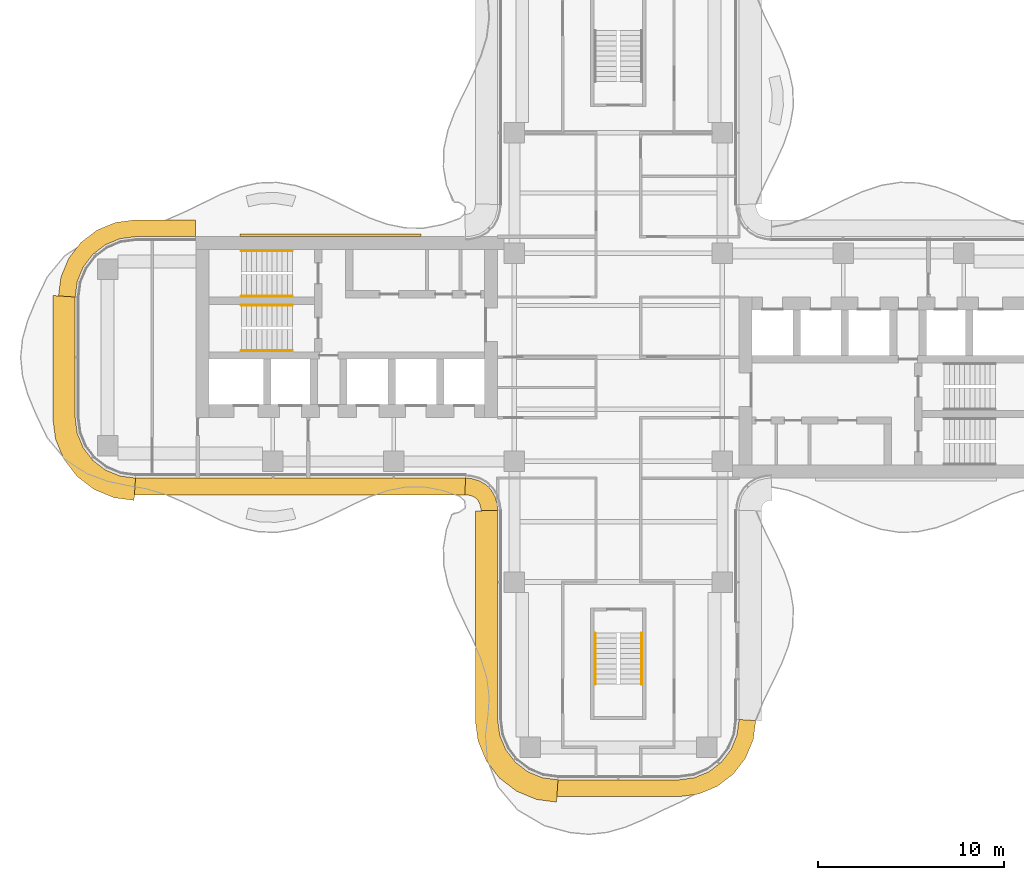
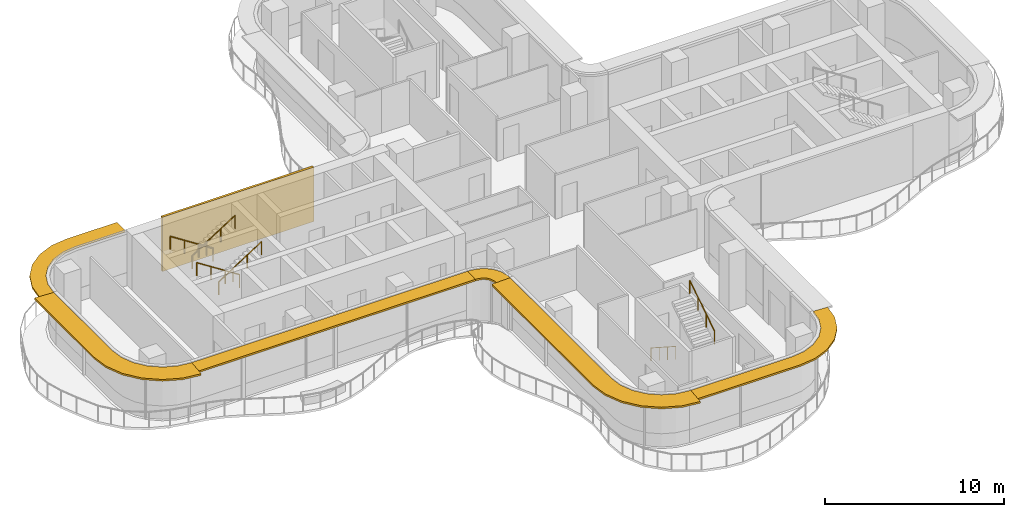
# One storey, part 15 of 16: 6 railings, 6 shading devices, 1 covering.
"""IFC4 building model written with IfcOpenShell, lengths in metres."""

from ifc_helpers import new_model, si_unit, direction, frame, origin, origin_2d, place, context, subcontext, project, spatial, polyline, circle, outline, extrude, source, transform, mapped, material, layer, layer_set, type_object, element, save


model = new_model("IFC4")

# Units and contexts
model_context = context("Model", 3, precision=1e-05, world=origin(), true_north=direction((0.0, 1.0)))
body_context = subcontext(model_context, "Body", "Model", "MODEL_VIEW")
ifc_project = project(units=[si_unit("LENGTHUNIT", "METRE"), si_unit("AREAUNIT", "SQUARE_METRE"), si_unit("VOLUMEUNIT", "CUBIC_METRE"), si_unit("PLANEANGLEUNIT", "RADIAN"), si_unit("MASSUNIT", "GRAM", prefix="KILO")], contexts=[model_context])

# Site, building, storey
site_placement = place(None, origin())
site = spatial("IfcSite", under=ifc_project, at=site_placement, CompositionType="ELEMENT")
building_placement = place(site_placement, origin())
building = spatial("IfcBuilding", under=site, at=building_placement, Name="Trellis Farm Tower", CompositionType="ELEMENT")
storey_placement = place(building_placement, frame((0.0, 0.0, 251.89990234375)))
storey = spatial("IfcBuildingStorey", under=building, at=storey_placement, Name="L56", CompositionType="ELEMENT", Elevation=251.89990234375)

# Railings
ifc_material_1 = material(Name="Stainless steel", Category="steel")
railing_type = type_object("IfcRailingType", Name="STAIR HANDRAIL 900", PredefinedType="HANDRAIL", material=ifc_material_1)
shared_shape_1 = source(origin(), body_context, "Body", "SweptSolid", [
    extrude(circle(Radius=0.02392578125, at=origin_2d()), frame((0.0, 0.0, 0.8759765625), z_axis=(0.0, 0.840503830235, 0.541805602924), x_axis=(-1.0, 0.0, 0.0)), (0.0, 0.0, 1.0), 3.271728515625),
    extrude(circle(Radius=0.02099609375, at=origin_2d()), origin(), (0.0, 0.0, 1.0), 0.851806640625),
    extrude(circle(Radius=0.02099609375, at=origin_2d()), frame((0.0, 0.916748046875, 0.5908203125)), (0.0, 0.0, 1.0), 0.851806640625),
    extrude(circle(Radius=0.02099609375, at=origin_2d()), frame((0.0, 1.833251953125, 1.181884765625)), (0.0, 0.0, 1.0), 0.851806640625),
    extrude(circle(Radius=0.02099609375, at=origin_2d()), frame((0.0, 2.75, 1.772705078125)), (0.0, 0.0, 1.0), 0.851806640625),
])
railing_1_placement = place(storey_placement, frame((1.25, -17.60009765625, 2.12744140625)))
element("IfcRailing", 1, at=railing_1_placement, inside=storey, type_object=railing_type, Name="Stair handrail", PredefinedType="HANDRAIL", context=body_context, shape_type="MappedRepresentation", body=[
    mapped(shared_shape_1, transform((0.0, 0.0, 0.0))),
])
shared_shape_2 = source(origin(), body_context, "Body", "SweptSolid", [
    extrude(circle(Radius=0.02392578125, at=origin_2d()), frame((0.0, 0.0, 0.8759765625), z_axis=(0.0, -0.840503830235, 0.541805602924), x_axis=(1.0, 0.0, 0.0)), (0.0, 0.0, 1.0), 3.271728515625),
    extrude(circle(Radius=0.02099609375, at=origin_2d()), origin(), (0.0, 0.0, 1.0), 0.851806640625),
    extrude(circle(Radius=0.02099609375, at=origin_2d()), frame((0.0, -0.916748046875, 0.5908203125)), (0.0, 0.0, 1.0), 0.851806640625),
    extrude(circle(Radius=0.02099609375, at=origin_2d()), frame((0.0, -1.833251953125, 1.181884765625)), (0.0, 0.0, 1.0), 0.851806640625),
    extrude(circle(Radius=0.02099609375, at=origin_2d()), frame((0.0, -2.75, 1.772705078125)), (0.0, 0.0, 1.0), 0.851806640625),
])
railing_2_placement = place(storey_placement, frame((-1.25, -14.85009765625, 0.177490234375)))
element("IfcRailing", 2, at=railing_2_placement, inside=storey, type_object=railing_type, Name="Stair handrail", PredefinedType="HANDRAIL", context=body_context, shape_type="MappedRepresentation", body=[
    mapped(shared_shape_2, transform((0.0, 0.0, 0.0))),
])
shared_shape_3 = source(origin(), body_context, "Body", "SweptSolid", [
    extrude(circle(Radius=0.02392578125, at=origin_2d()), frame((0.0, 0.0, 0.8759765625), z_axis=(0.840503830235, 0.0, 0.541805602924), x_axis=(0.0, 1.0, 0.0)), (0.0, 0.0, 1.0), 3.271728515625),
    extrude(circle(Radius=0.02099609375, at=origin_2d()), origin(), (0.0, 0.0, 1.0), 0.851806640625),
    extrude(circle(Radius=0.02099609375, at=origin_2d()), frame((0.916748046875, 0.0, 0.5908203125)), (0.0, 0.0, 1.0), 0.851806640625),
    extrude(circle(Radius=0.02099609375, at=origin_2d()), frame((1.833251953125, 0.0, 1.181884765625)), (0.0, 0.0, 1.0), 0.851806640625),
    extrude(circle(Radius=0.02099609375, at=origin_2d()), frame((2.75, 0.0, 1.772705078125)), (0.0, 0.0, 1.0), 0.851806640625),
])
for number, where, name in (
    (3, (-20.300048828125, 3.300048828125, 2.12744140625), "Stair handrail"),
    (4, (-20.300048828125, 0.35009765625, 2.12744140625), "Stair handrail"),
):
    element("IfcRailing", number, at=place(storey_placement, frame(where)), inside=storey, type_object=railing_type, Name=name, PredefinedType="HANDRAIL", context=body_context, shape_type="MappedRepresentation", body=[
        mapped(shared_shape_3, transform((0.0, 0.0, 0.0))),
    ])
shared_shape_4 = source(origin(), body_context, "Body", "SweptSolid", [
    extrude(circle(Radius=0.02392578125, at=origin_2d()), frame((0.0, 0.0, 0.8759765625), z_axis=(-0.840503830235, 0.0, 0.541805602924), x_axis=(0.0, -1.0, 0.0)), (0.0, 0.0, 1.0), 3.271728515625),
    extrude(circle(Radius=0.02099609375, at=origin_2d()), origin(), (0.0, 0.0, 1.0), 0.851806640625),
    extrude(circle(Radius=0.02099609375, at=origin_2d()), frame((-0.916748046875, 0.0, 0.5908203125)), (0.0, 0.0, 1.0), 0.851806640625),
    extrude(circle(Radius=0.02099609375, at=origin_2d()), frame((-1.833251953125, 0.0, 1.181884765625)), (0.0, 0.0, 1.0), 0.851806640625),
    extrude(circle(Radius=0.02099609375, at=origin_2d()), frame((-2.75, 0.0, 1.772705078125)), (0.0, 0.0, 1.0), 0.851806640625),
])
for number, where, name in (
    (5, (-17.550048828125, 5.75, 0.177490234375), "Stair handrail"),
    (6, (-17.550048828125, 2.800048828125, 0.177490234375), "Stair handrail"),
):
    element("IfcRailing", number, at=place(storey_placement, frame(where)), inside=storey, type_object=railing_type, Name=name, PredefinedType="HANDRAIL", context=body_context, shape_type="MappedRepresentation", body=[
        mapped(shared_shape_4, transform((0.0, 0.0, 0.0))),
    ])

# Shading devices
ifc_material_2 = material(Name="Aluminium extrusion 6063-T6", Category="aluminium")
ifc_layer_1 = layer(ifc_material_2, 0.1201171875)
ifc_layer_set_1 = layer_set([ifc_layer_1], Name="SUNSHADE BLADE 900")
shading_device_type_1 = type_object("IfcShadingDeviceType", Name="SUNSHADE BLADE 900", PredefinedType="USERDEFINED", material=ifc_layer_set_1)
shared_shape_5 = source(origin(), body_context, "Body", "SweptSolid", [
    extrude(outline(polyline([(-8.2607421875, -7.39990234375), (-8.107666015625, -7.409912109375), (-8.091552734375, -7.412109375), (-7.85595703125, -7.475341796875), (-7.697021484375, -7.567138671875), (-7.567138671875, -7.697021484375), (-7.475341796875, -7.85595703125), (-7.412109375, -8.091552734375), (-7.409912109375, -8.107666015625), (-7.39990234375, -8.2607421875), (-6.5, -8.2314453125), (-6.513916015625, -8.01953125), (-6.527587890625, -7.91552734375), (-6.63671875, -7.508544921875), (-6.846923828125, -7.144287109375), (-7.144287109375, -6.846923828125), (-7.508544921875, -6.63671875), (-7.91552734375, -6.527587890625), (-8.01953125, -6.513916015625), (-8.2314453125, -6.5), (-8.2607421875, -7.39990234375)])), origin(), (0.0, 0.0, 1.0), 0.1201171875),
])
placement = place(storey_placement, frame((0.0, 0.0, 3.5400390625)))
element("IfcShadingDevice", 7, at=placement, inside=storey, type_object=shading_device_type_1, Name="SD1 002", ObjectType="SUNSHADE", PredefinedType="USERDEFINED", context=body_context, shape_type="MappedRepresentation", body=[
    mapped(shared_shape_5, transform((0.0, 0.0, 0.0))),
])
shared_shape_6 = source(origin(), body_context, "Body", "SweptSolid", [
    extrude(outline(polyline([(-26.05908203125, -7.39990234375), (-8.2607421875, -7.39990234375), (-8.2314453125, -6.5), (-26.0, -6.5), (-26.05908203125, -7.39990234375)])), origin(), (0.0, 0.0, 1.0), 0.1201171875),
])
element("IfcShadingDevice", 8, at=placement, inside=storey, type_object=shading_device_type_1, Name="SD1 001", ObjectType="SUNSHADE", PredefinedType="USERDEFINED", context=body_context, shape_type="MappedRepresentation", body=[
    mapped(shared_shape_6, transform((0.0, 0.0, 0.0))),
])
shared_shape_7 = source(origin(), body_context, "Body", "SweptSolid", [
    extrude(outline(polyline([(-22.780029296875, 7.39990234375), (-26.05908203125, 7.39990234375), (-27.076171875, 7.26611328125), (-28.078857421875, 6.850830078125), (-28.93994140625, 6.18994140625), (-29.600830078125, 5.328857421875), (-30.01611328125, 4.326171875), (-30.14990234375, 3.30908203125), (-29.25, 3.25), (-29.13916015625, 4.091064453125), (-28.814697265625, 4.875), (-28.298095703125, 5.548095703125), (-27.625, 6.064697265625), (-26.841064453125, 6.38916015625), (-26.0, 6.5), (-22.780029296875, 6.5), (-22.780029296875, 7.39990234375)])), origin(), (0.0, 0.0, 1.0), 0.1201171875),
])
element("IfcShadingDevice", 9, at=placement, inside=storey, type_object=shading_device_type_1, Name="SD1 015", ObjectType="SUNSHADE", PredefinedType="USERDEFINED", context=body_context, shape_type="MappedRepresentation", body=[
    mapped(shared_shape_7, transform((0.0, 0.0, 0.0))),
])
ifc_layer_2 = layer(ifc_material_2, 0.1201171875)
ifc_layer_set_2 = layer_set([ifc_layer_2], Name="SUNSHADE BLADE 1200")
shading_device_type_2 = type_object("IfcShadingDeviceType", Name="SUNSHADE BLADE 1200", PredefinedType="USERDEFINED", material=ifc_layer_set_2)
shared_shape_8 = source(origin(), body_context, "Body", "SweptSolid", [
    extrude(outline(polyline([(-30.449951171875, 3.32861328125), (-30.449951171875, -3.32861328125), (-30.308349609375, -4.404541015625), (-29.86279296875, -5.480224609375), (-29.154052734375, -6.404052734375), (-28.230224609375, -7.11279296875), (-27.154541015625, -7.558349609375), (-26.07861328125, -7.699951171875), (-26.0, -6.5), (-26.841064453125, -6.38916015625), (-27.625, -6.064697265625), (-28.298095703125, -5.548095703125), (-28.814697265625, -4.875), (-29.13916015625, -4.091064453125), (-29.25, -3.25), (-29.25, 3.25), (-30.449951171875, 3.32861328125)])), origin(), (0.0, 0.0, 1.0), 0.1201171875),
])
element("IfcShadingDevice", 10, at=placement, inside=storey, type_object=shading_device_type_2, Name="SD2 016", ObjectType="SUNSHADE", PredefinedType="USERDEFINED", context=body_context, shape_type="MappedRepresentation", body=[
    mapped(shared_shape_8, transform((0.0, 0.0, 0.0))),
])

# Covering
ifc_material_3 = material(Name="Perforated precast screen (cobogo)", Category="concrete")
ifc_layer_3 = layer(ifc_material_3, 0.14990234375)
ifc_layer_set_3 = layer_set([ifc_layer_3], Name="COBOGO SCREEN PANEL")
covering_type = type_object("IfcCoveringType", Name="COBOGO SCREEN PANEL", PredefinedType="USERDEFINED", material=ifc_layer_set_3)
shared_shape_9 = source(origin(), body_context, "Body", "SweptSolid", [
    extrude(outline(polyline([(-10.630615234375, 6.64990234375), (-20.380615234375, 6.64990234375), (-20.380615234375, 6.5), (-10.630615234375, 6.5), (-10.630615234375, 6.64990234375)])), origin(), (0.0, 0.0, 1.0), 3.7001953125),
])
covering_placement = place(storey_placement, origin())
element("IfcCovering", 11, at=covering_placement, inside=storey, type_object=covering_type, Name="SC1 02", ObjectType="SCREEN", PredefinedType="USERDEFINED", context=body_context, shape_type="MappedRepresentation", body=[
    mapped(shared_shape_9, transform((0.0, 0.0, 0.0))),
])

# Shading devices
shared_shape_10 = source(origin(), body_context, "Body", "SweptSolid", [
    extrude(outline(polyline([(-7.699951171875, -8.270751953125), (-7.699951171875, -19.57861328125), (-7.558349609375, -20.654541015625), (-7.11279296875, -21.730224609375), (-6.404052734375, -22.654052734375), (-5.480224609375, -23.36279296875), (-4.404541015625, -23.808349609375), (-3.32861328125, -23.949951171875), (-3.25, -22.75), (-4.091064453125, -22.63916015625), (-4.875, -22.314697265625), (-5.548095703125, -21.798095703125), (-6.064697265625, -21.125), (-6.38916015625, -20.341064453125), (-6.5, -19.5), (-6.5, -8.2314453125), (-7.699951171875, -8.270751953125)])), origin(), (0.0, 0.0, 1.0), 0.1201171875),
])
element("IfcShadingDevice", 12, at=placement, inside=storey, type_object=shading_device_type_2, Name="SD2 003", ObjectType="SUNSHADE", PredefinedType="USERDEFINED", context=body_context, shape_type="MappedRepresentation", body=[
    mapped(shared_shape_10, transform((0.0, 0.0, 0.0))),
])
shared_shape_11 = source(origin(), body_context, "Body", "SweptSolid", [
    extrude(outline(polyline([(-3.30908203125, -23.64990234375), (3.30908203125, -23.64990234375), (4.326171875, -23.51611328125), (5.328857421875, -23.100830078125), (6.18994140625, -22.43994140625), (6.850830078125, -21.578857421875), (7.26611328125, -20.576171875), (7.39990234375, -19.55908203125), (6.5, -19.5), (6.38916015625, -20.341064453125), (6.064697265625, -21.125), (5.548095703125, -21.798095703125), (4.875, -22.314697265625), (4.091064453125, -22.63916015625), (3.25, -22.75), (-3.25, -22.75), (-3.30908203125, -23.64990234375)])), origin(), (0.0, 0.0, 1.0), 0.1201171875),
])
element("IfcShadingDevice", 13, at=placement, inside=storey, type_object=shading_device_type_1, Name="SD1 004", ObjectType="SUNSHADE", PredefinedType="USERDEFINED", context=body_context, shape_type="MappedRepresentation", body=[
    mapped(shared_shape_11, transform((0.0, 0.0, 0.0))),
])

save(model, "model.ifc")
